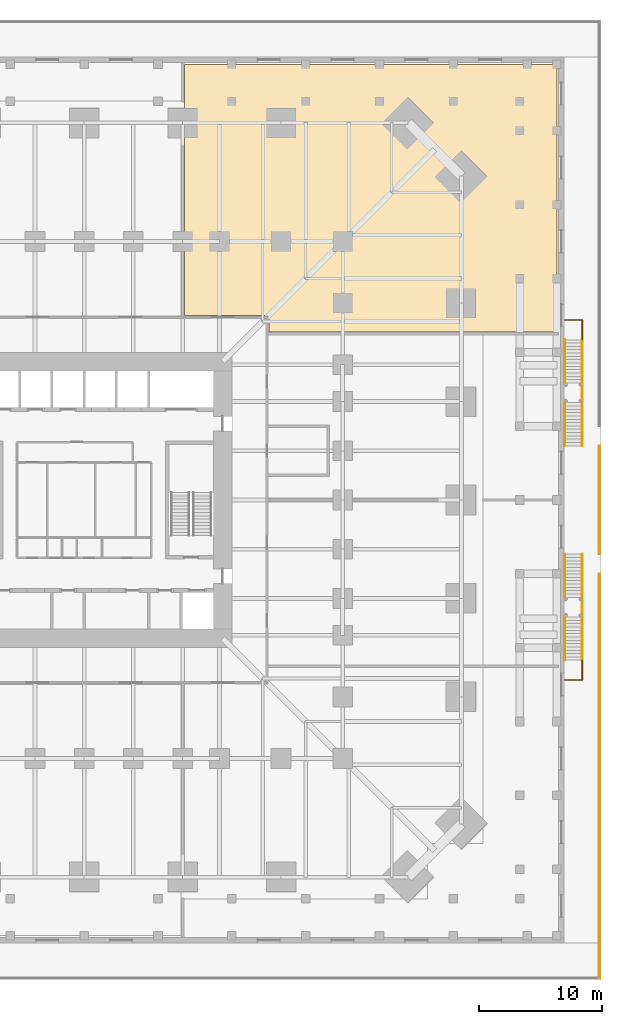
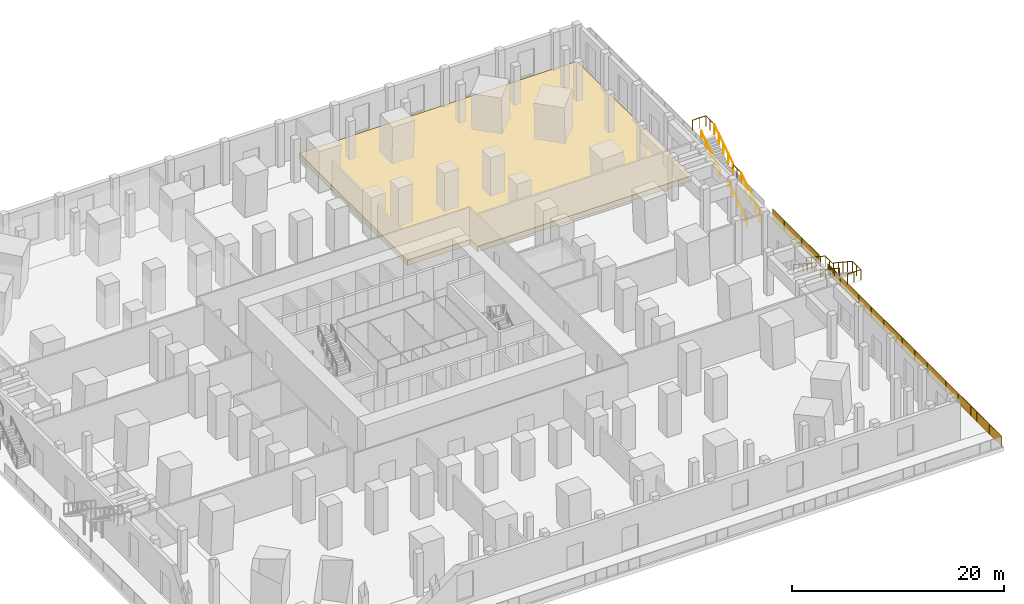
# One storey, part 20 of 22: 14 railings, 1 covering.
"""IFC4 building model written with IfcOpenShell, lengths in metres."""

from ifc_helpers import new_model, si_unit, direction, frame, origin, origin_2d, place, context, subcontext, project, spatial, polyline, rectangle, circle, outline, extrude, material, layer, layer_set, type_object, element, save


model = new_model("IFC4")

# Units and contexts
model_context = context("Model", 3, precision=1e-05, world=origin(), true_north=direction((0.0, 1.0)))
body_context = subcontext(model_context, "Body", "Model", "MODEL_VIEW")
ifc_project = project(units=[si_unit("LENGTHUNIT", "METRE"), si_unit("AREAUNIT", "SQUARE_METRE"), si_unit("VOLUMEUNIT", "CUBIC_METRE"), si_unit("PLANEANGLEUNIT", "RADIAN"), si_unit("MASSUNIT", "GRAM", prefix="KILO")], contexts=[model_context])

# Site, building, storey
site_placement = place(None, origin())
site = spatial("IfcSite", under=ifc_project, at=site_placement, CompositionType="ELEMENT")
building_placement = place(site_placement, origin())
building = spatial("IfcBuilding", under=site, at=building_placement, Name="Peilmerk Tower", CompositionType="ELEMENT")
storey_placement = place(building_placement, frame((0.0, 0.0, 6.0)))
storey = spatial("IfcBuildingStorey", under=building, at=storey_placement, Name="L01", CompositionType="ELEMENT", Elevation=6.0)

# Railings
ifc_material_1 = material(Name="Steel flat bar balustrade", Category="steel")
railing_type_1 = type_object("IfcRailingType", Name="GR1 1200 stair guard", PredefinedType="GUARDRAIL", material=ifc_material_1)
for number, where, name in (
    (1, (40.469970703125, 4.39990234375, 0.178466796875), "Guard external stair 3 L01"),
    (2, (40.469970703125, 9.510009765625, 2.678466796875), "Guard external stair 3 L01"),
):
    element("IfcRailing", number, at=place(storey_placement, frame(where)), inside=storey, type_object=railing_type_1, Name=name, PredefinedType="GUARDRAIL", context=body_context, shape_type="SweptSolid", body=[
        extrude(circle(Radius=0.02392578125, at=origin_2d()), frame((0.0, 0.0, 1.17578125), z_axis=(0.0, 0.834070780157, 0.551657442339), x_axis=(-1.0, 0.0, 0.0)), (0.0, 0.0, 1.0), 4.208251953125),
        extrude(circle(Radius=0.02099609375, at=origin_2d()), origin(), (0.0, 0.0, 1.0), 1.15185546875),
        extrude(circle(Radius=0.02099609375, at=origin_2d()), frame((0.0, 0.87744140625, 0.580322265625)), (0.0, 0.0, 1.0), 1.15185546875),
        extrude(circle(Radius=0.02099609375, at=origin_2d()), frame((0.0, 1.7548828125, 1.16064453125)), (0.0, 0.0, 1.0), 1.15185546875),
        extrude(circle(Radius=0.02099609375, at=origin_2d()), frame((0.0, 2.632568359375, 1.7412109375)), (0.0, 0.0, 1.0), 1.15185546875),
        extrude(circle(Radius=0.02099609375, at=origin_2d()), frame((0.0, 3.510009765625, 2.321533203125)), (0.0, 0.0, 1.0), 1.15185546875),
    ])
railing_1_placement = place(storey_placement, frame((40.469970703125, 7.909912109375, 2.5)))
element("IfcRailing", 3, at=railing_1_placement, inside=storey, type_object=railing_type_1, Name="Guard external stair 3 L01", PredefinedType="GUARDRAIL", context=body_context, shape_type="SweptSolid", body=[
    extrude(circle(Radius=0.02392578125, at=origin_2d()), frame((0.0, 0.0, 1.17578125), z_axis=(0.0, 1.0, 0.0), x_axis=(-1.0, 0.0, 0.0)), (0.0, 0.0, 1.0), 1.60009765625),
    extrude(circle(Radius=0.02099609375, at=origin_2d()), origin(), (0.0, 0.0, 1.0), 1.15185546875),
    extrude(circle(Radius=0.02099609375, at=origin_2d()), frame((0.0, 0.800048828125, 0.0)), (0.0, 0.0, 1.0), 1.15185546875),
    extrude(circle(Radius=0.02099609375, at=origin_2d()), frame((0.0, 1.60009765625, 0.0)), (0.0, 0.0, 1.0), 1.15185546875),
])
railing_2_placement = place(storey_placement, frame((40.469970703125, 13.02001953125, 5.0)))
element("IfcRailing", 4, at=railing_2_placement, inside=storey, type_object=railing_type_1, Name="Guard external stair 3 L01", PredefinedType="GUARDRAIL", context=body_context, shape_type="SweptSolid", body=[
    extrude(circle(Radius=0.02392578125, at=origin_2d()), frame((0.0, 0.0, 1.17578125), z_axis=(0.0, 1.0, 0.0), x_axis=(-1.0, 0.0, 0.0)), (0.0, 0.0, 1.0), 1.60009765625),
    extrude(circle(Radius=0.02392578125, at=origin_2d()), frame((0.0, 1.60009765625, 1.17578125), z_axis=(-1.0, 0.0, 0.0), x_axis=(0.0, -1.0, 0.0)), (0.0, 0.0, 1.0), 1.43994140625),
    extrude(circle(Radius=0.02099609375, at=origin_2d()), origin(), (0.0, 0.0, 1.0), 1.15185546875),
    extrude(circle(Radius=0.02099609375, at=origin_2d()), frame((0.0, 0.800048828125, 0.0)), (0.0, 0.0, 1.0), 1.15185546875),
    extrude(circle(Radius=0.02099609375, at=origin_2d()), frame((0.0, 1.60009765625, 0.0)), (0.0, 0.0, 1.0), 1.15185546875),
    extrude(circle(Radius=0.02099609375, at=origin_2d()), frame((-0.719970703125, 1.60009765625, 0.0)), (0.0, 0.0, 1.0), 1.15185546875),
    extrude(circle(Radius=0.02099609375, at=origin_2d()), frame((-1.43994140625, 1.60009765625, 0.0)), (0.0, 0.0, 1.0), 1.15185546875),
])
for number, where, name in (
    (5, (40.469970703125, -4.39990234375, 0.178466796875), "Guard external stair 4 L01"),
    (6, (40.469970703125, -9.510009765625, 2.678466796875), "Guard external stair 4 L01"),
):
    element("IfcRailing", number, at=place(storey_placement, frame(where)), inside=storey, type_object=railing_type_1, Name=name, PredefinedType="GUARDRAIL", context=body_context, shape_type="SweptSolid", body=[
        extrude(circle(Radius=0.02392578125, at=origin_2d()), frame((0.0, 0.0, 1.17578125), z_axis=(0.0, -0.834070780157, 0.551657442339), x_axis=(1.0, 0.0, 0.0)), (0.0, 0.0, 1.0), 4.208251953125),
        extrude(circle(Radius=0.02099609375, at=origin_2d()), origin(), (0.0, 0.0, 1.0), 1.15185546875),
        extrude(circle(Radius=0.02099609375, at=origin_2d()), frame((0.0, -0.87744140625, 0.580322265625)), (0.0, 0.0, 1.0), 1.15185546875),
        extrude(circle(Radius=0.02099609375, at=origin_2d()), frame((0.0, -1.7548828125, 1.16064453125)), (0.0, 0.0, 1.0), 1.15185546875),
        extrude(circle(Radius=0.02099609375, at=origin_2d()), frame((0.0, -2.632568359375, 1.7412109375)), (0.0, 0.0, 1.0), 1.15185546875),
        extrude(circle(Radius=0.02099609375, at=origin_2d()), frame((0.0, -3.510009765625, 2.321533203125)), (0.0, 0.0, 1.0), 1.15185546875),
    ])
railing_3_placement = place(storey_placement, frame((40.469970703125, -9.510009765625, 2.5)))
element("IfcRailing", 7, at=railing_3_placement, inside=storey, type_object=railing_type_1, Name="Guard external stair 4 L01", PredefinedType="GUARDRAIL", context=body_context, shape_type="SweptSolid", body=[
    extrude(circle(Radius=0.02392578125, at=origin_2d()), frame((0.0, 0.0, 1.17578125), z_axis=(0.0, 1.0, 0.0), x_axis=(-1.0, 0.0, 0.0)), (0.0, 0.0, 1.0), 1.60009765625),
    extrude(circle(Radius=0.02099609375, at=origin_2d()), origin(), (0.0, 0.0, 1.0), 1.15185546875),
    extrude(circle(Radius=0.02099609375, at=origin_2d()), frame((0.0, 0.800048828125, 0.0)), (0.0, 0.0, 1.0), 1.15185546875),
    extrude(circle(Radius=0.02099609375, at=origin_2d()), frame((0.0, 1.60009765625, 0.0)), (0.0, 0.0, 1.0), 1.15185546875),
])
railing_4_placement = place(storey_placement, frame((40.469970703125, -13.02001953125, 5.0)))
element("IfcRailing", 8, at=railing_4_placement, inside=storey, type_object=railing_type_1, Name="Guard external stair 4 L01", PredefinedType="GUARDRAIL", context=body_context, shape_type="SweptSolid", body=[
    extrude(circle(Radius=0.02392578125, at=origin_2d()), frame((0.0, 0.0, 1.17578125), z_axis=(0.0, -1.0, 0.0), x_axis=(1.0, 0.0, 0.0)), (0.0, 0.0, 1.0), 1.60009765625),
    extrude(circle(Radius=0.02392578125, at=origin_2d()), frame((0.0, -1.60009765625, 1.17578125), z_axis=(-1.0, 0.0, 0.0), x_axis=(0.0, -1.0, 0.0)), (0.0, 0.0, 1.0), 1.43994140625),
    extrude(circle(Radius=0.02099609375, at=origin_2d()), origin(), (0.0, 0.0, 1.0), 1.15185546875),
    extrude(circle(Radius=0.02099609375, at=origin_2d()), frame((0.0, -0.800048828125, 0.0)), (0.0, 0.0, 1.0), 1.15185546875),
    extrude(circle(Radius=0.02099609375, at=origin_2d()), frame((0.0, -1.60009765625, 0.0)), (0.0, 0.0, 1.0), 1.15185546875),
    extrude(circle(Radius=0.02099609375, at=origin_2d()), frame((-0.719970703125, -1.60009765625, 0.0)), (0.0, 0.0, 1.0), 1.15185546875),
    extrude(circle(Radius=0.02099609375, at=origin_2d()), frame((-1.43994140625, -1.60009765625, 0.0)), (0.0, 0.0, 1.0), 1.15185546875),
])
ifc_material_2 = material(Name="Galvanised steel posts and top rail, laminated glass infill 16", Category="steel")
railing_type_2 = type_object("IfcRailingType", Name="GR2 1200 terrace balustrade", PredefinedType="BALUSTRADE", material=ifc_material_2)
railing_5_placement = place(storey_placement, frame((41.85009765625, -38.85009765625, 0.0)))
element("IfcRailing", 9, at=railing_5_placement, inside=storey, type_object=railing_type_2, Name="Terrace balustrade L01", PredefinedType="BALUSTRADE", context=body_context, shape_type="SweptSolid", body=[
    extrude(circle(Radius=0.02392578125, at=origin_2d()), frame((0.0, 0.0, 1.17578125), z_axis=(0.0, 1.0, 0.0), x_axis=(-1.0, 0.0, 0.0)), (0.0, 0.0, 1.0), 32.85009765625),
    extrude(circle(Radius=0.02099609375, at=origin_2d()), origin(), (0.0, 0.0, 1.0), 1.15185546875),
    extrude(circle(Radius=0.02099609375, at=origin_2d()), frame((0.0, 1.17333984375, 0.0)), (0.0, 0.0, 1.0), 1.15185546875),
    extrude(circle(Radius=0.02099609375, at=origin_2d()), frame((0.0, 2.346435546875, 0.0)), (0.0, 0.0, 1.0), 1.15185546875),
    extrude(circle(Radius=0.02099609375, at=origin_2d()), frame((0.0, 3.51953125, 0.0)), (0.0, 0.0, 1.0), 1.15185546875),
    extrude(circle(Radius=0.02099609375, at=origin_2d()), frame((0.0, 4.69287109375, 0.0)), (0.0, 0.0, 1.0), 1.15185546875),
    extrude(circle(Radius=0.02099609375, at=origin_2d()), frame((0.0, 5.8662109375, 0.0)), (0.0, 0.0, 1.0), 1.15185546875),
    extrude(circle(Radius=0.02099609375, at=origin_2d()), frame((0.0, 7.039306640625, 0.0)), (0.0, 0.0, 1.0), 1.15185546875),
    extrude(circle(Radius=0.02099609375, at=origin_2d()), frame((0.0, 8.21240234375, 0.0)), (0.0, 0.0, 1.0), 1.15185546875),
    extrude(circle(Radius=0.02099609375, at=origin_2d()), frame((0.0, 9.3857421875, 0.0)), (0.0, 0.0, 1.0), 1.15185546875),
    extrude(circle(Radius=0.02099609375, at=origin_2d()), frame((0.0, 10.55908203125, 0.0)), (0.0, 0.0, 1.0), 1.15185546875),
    extrude(circle(Radius=0.02099609375, at=origin_2d()), frame((0.0, 11.732177734375, 0.0)), (0.0, 0.0, 1.0), 1.15185546875),
    extrude(circle(Radius=0.02099609375, at=origin_2d()), frame((0.0, 12.9052734375, 0.0)), (0.0, 0.0, 1.0), 1.15185546875),
    extrude(circle(Radius=0.02099609375, at=origin_2d()), frame((0.0, 14.07861328125, 0.0)), (0.0, 0.0, 1.0), 1.15185546875),
    extrude(circle(Radius=0.02099609375, at=origin_2d()), frame((0.0, 15.251953125, 0.0)), (0.0, 0.0, 1.0), 1.15185546875),
    extrude(circle(Radius=0.02099609375, at=origin_2d()), frame((0.0, 16.425048828125, 0.0)), (0.0, 0.0, 1.0), 1.15185546875),
    extrude(circle(Radius=0.02099609375, at=origin_2d()), frame((0.0, 17.59814453125, 0.0)), (0.0, 0.0, 1.0), 1.15185546875),
    extrude(circle(Radius=0.02099609375, at=origin_2d()), frame((0.0, 18.771484375, 0.0)), (0.0, 0.0, 1.0), 1.15185546875),
    extrude(circle(Radius=0.02099609375, at=origin_2d()), frame((0.0, 19.94482421875, 0.0)), (0.0, 0.0, 1.0), 1.15185546875),
    extrude(circle(Radius=0.02099609375, at=origin_2d()), frame((0.0, 21.117919921875, 0.0)), (0.0, 0.0, 1.0), 1.15185546875),
    extrude(circle(Radius=0.02099609375, at=origin_2d()), frame((0.0, 22.291015625, 0.0)), (0.0, 0.0, 1.0), 1.15185546875),
    extrude(circle(Radius=0.02099609375, at=origin_2d()), frame((0.0, 23.46435546875, 0.0)), (0.0, 0.0, 1.0), 1.15185546875),
    extrude(circle(Radius=0.02099609375, at=origin_2d()), frame((0.0, 24.6376953125, 0.0)), (0.0, 0.0, 1.0), 1.15185546875),
    extrude(circle(Radius=0.02099609375, at=origin_2d()), frame((0.0, 25.810791015625, 0.0)), (0.0, 0.0, 1.0), 1.15185546875),
    extrude(circle(Radius=0.02099609375, at=origin_2d()), frame((0.0, 26.98388671875, 0.0)), (0.0, 0.0, 1.0), 1.15185546875),
    extrude(circle(Radius=0.02099609375, at=origin_2d()), frame((0.0, 28.1572265625, 0.0)), (0.0, 0.0, 1.0), 1.15185546875),
    extrude(circle(Radius=0.02099609375, at=origin_2d()), frame((0.0, 29.33056640625, 0.0)), (0.0, 0.0, 1.0), 1.15185546875),
    extrude(circle(Radius=0.02099609375, at=origin_2d()), frame((0.0, 30.503662109375, 0.0)), (0.0, 0.0, 1.0), 1.15185546875),
    extrude(circle(Radius=0.02099609375, at=origin_2d()), frame((0.0, 31.6767578125, 0.0)), (0.0, 0.0, 1.0), 1.15185546875),
    extrude(circle(Radius=0.02099609375, at=origin_2d()), frame((0.0, 32.85009765625, 0.0)), (0.0, 0.0, 1.0), 1.15185546875),
    extrude(rectangle(XDim=1.13134765625, YDim=0.01611328125, at=origin_2d()), frame((0.0, 0.586669921875, 0.050048828125), z_axis=(0.0, 0.0, 1.0), x_axis=(0.0, 1.0, 0.0)), (0.0, 0.0, 1.0), 1.101806640625),
    extrude(rectangle(XDim=1.13134765625, YDim=0.01611328125, at=origin_2d()), frame((0.0, 1.759765625, 0.050048828125), z_axis=(0.0, 0.0, 1.0), x_axis=(0.0, 1.0, 0.0)), (0.0, 0.0, 1.0), 1.101806640625),
    extrude(rectangle(XDim=1.13134765625, YDim=0.01611328125, at=origin_2d()), frame((0.0, 2.93310546875, 0.050048828125), z_axis=(0.0, 0.0, 1.0), x_axis=(0.0, 1.0, 0.0)), (0.0, 0.0, 1.0), 1.101806640625),
    extrude(rectangle(XDim=1.13134765625, YDim=0.01611328125, at=origin_2d()), frame((0.0, 4.106201171875, 0.050048828125), z_axis=(0.0, 0.0, 1.0), x_axis=(0.0, 1.0, 0.0)), (0.0, 0.0, 1.0), 1.101806640625),
    extrude(rectangle(XDim=1.13134765625, YDim=0.01611328125, at=origin_2d()), frame((0.0, 5.279541015625, 0.050048828125), z_axis=(0.0, 0.0, 1.0), x_axis=(0.0, 1.0, 0.0)), (0.0, 0.0, 1.0), 1.101806640625),
    extrude(rectangle(XDim=1.13134765625, YDim=0.01611328125, at=origin_2d()), frame((0.0, 6.45263671875, 0.050048828125), z_axis=(0.0, 0.0, 1.0), x_axis=(0.0, 1.0, 0.0)), (0.0, 0.0, 1.0), 1.101806640625),
    extrude(rectangle(XDim=1.13134765625, YDim=0.01611328125, at=origin_2d()), frame((0.0, 7.6259765625, 0.050048828125), z_axis=(0.0, 0.0, 1.0), x_axis=(0.0, 1.0, 0.0)), (0.0, 0.0, 1.0), 1.101806640625),
    extrude(rectangle(XDim=1.13134765625, YDim=0.01611328125, at=origin_2d()), frame((0.0, 8.799072265625, 0.050048828125), z_axis=(0.0, 0.0, 1.0), x_axis=(0.0, 1.0, 0.0)), (0.0, 0.0, 1.0), 1.101806640625),
    extrude(rectangle(XDim=1.13134765625, YDim=0.01611328125, at=origin_2d()), frame((0.0, 9.972412109375, 0.050048828125), z_axis=(0.0, 0.0, 1.0), x_axis=(0.0, 1.0, 0.0)), (0.0, 0.0, 1.0), 1.101806640625),
    extrude(rectangle(XDim=1.13134765625, YDim=0.01611328125, at=origin_2d()), frame((0.0, 11.1455078125, 0.050048828125), z_axis=(0.0, 0.0, 1.0), x_axis=(0.0, 1.0, 0.0)), (0.0, 0.0, 1.0), 1.101806640625),
    extrude(rectangle(XDim=1.13134765625, YDim=0.01611328125, at=origin_2d()), frame((0.0, 12.31884765625, 0.050048828125), z_axis=(0.0, 0.0, 1.0), x_axis=(0.0, 1.0, 0.0)), (0.0, 0.0, 1.0), 1.101806640625),
    extrude(rectangle(XDim=1.13134765625, YDim=0.01611328125, at=origin_2d()), frame((0.0, 13.491943359375, 0.050048828125), z_axis=(0.0, 0.0, 1.0), x_axis=(0.0, 1.0, 0.0)), (0.0, 0.0, 1.0), 1.101806640625),
    extrude(rectangle(XDim=1.13134765625, YDim=0.01611328125, at=origin_2d()), frame((0.0, 14.665283203125, 0.050048828125), z_axis=(0.0, 0.0, 1.0), x_axis=(0.0, 1.0, 0.0)), (0.0, 0.0, 1.0), 1.101806640625),
    extrude(rectangle(XDim=1.13134765625, YDim=0.01611328125, at=origin_2d()), frame((0.0, 15.83837890625, 0.050048828125), z_axis=(0.0, 0.0, 1.0), x_axis=(0.0, 1.0, 0.0)), (0.0, 0.0, 1.0), 1.101806640625),
    extrude(rectangle(XDim=1.13134765625, YDim=0.01611328125, at=origin_2d()), frame((0.0, 17.01171875, 0.050048828125), z_axis=(0.0, 0.0, 1.0), x_axis=(0.0, 1.0, 0.0)), (0.0, 0.0, 1.0), 1.101806640625),
    extrude(rectangle(XDim=1.13134765625, YDim=0.01611328125, at=origin_2d()), frame((0.0, 18.184814453125, 0.050048828125), z_axis=(0.0, 0.0, 1.0), x_axis=(0.0, 1.0, 0.0)), (0.0, 0.0, 1.0), 1.101806640625),
    extrude(rectangle(XDim=1.13134765625, YDim=0.01611328125, at=origin_2d()), frame((0.0, 19.358154296875, 0.050048828125), z_axis=(0.0, 0.0, 1.0), x_axis=(0.0, 1.0, 0.0)), (0.0, 0.0, 1.0), 1.101806640625),
    extrude(rectangle(XDim=1.13134765625, YDim=0.01611328125, at=origin_2d()), frame((0.0, 20.53125, 0.050048828125), z_axis=(0.0, 0.0, 1.0), x_axis=(0.0, 1.0, 0.0)), (0.0, 0.0, 1.0), 1.101806640625),
    extrude(rectangle(XDim=1.13134765625, YDim=0.01611328125, at=origin_2d()), frame((0.0, 21.70458984375, 0.050048828125), z_axis=(0.0, 0.0, 1.0), x_axis=(0.0, 1.0, 0.0)), (0.0, 0.0, 1.0), 1.101806640625),
    extrude(rectangle(XDim=1.13134765625, YDim=0.01611328125, at=origin_2d()), frame((0.0, 22.877685546875, 0.050048828125), z_axis=(0.0, 0.0, 1.0), x_axis=(0.0, 1.0, 0.0)), (0.0, 0.0, 1.0), 1.101806640625),
    extrude(rectangle(XDim=1.13134765625, YDim=0.01611328125, at=origin_2d()), frame((0.0, 24.051025390625, 0.050048828125), z_axis=(0.0, 0.0, 1.0), x_axis=(0.0, 1.0, 0.0)), (0.0, 0.0, 1.0), 1.101806640625),
    extrude(rectangle(XDim=1.13134765625, YDim=0.01611328125, at=origin_2d()), frame((0.0, 25.22412109375, 0.050048828125), z_axis=(0.0, 0.0, 1.0), x_axis=(0.0, 1.0, 0.0)), (0.0, 0.0, 1.0), 1.101806640625),
    extrude(rectangle(XDim=1.13134765625, YDim=0.01611328125, at=origin_2d()), frame((0.0, 26.3974609375, 0.050048828125), z_axis=(0.0, 0.0, 1.0), x_axis=(0.0, 1.0, 0.0)), (0.0, 0.0, 1.0), 1.101806640625),
    extrude(rectangle(XDim=1.13134765625, YDim=0.01611328125, at=origin_2d()), frame((0.0, 27.570556640625, 0.050048828125), z_axis=(0.0, 0.0, 1.0), x_axis=(0.0, 1.0, 0.0)), (0.0, 0.0, 1.0), 1.101806640625),
    extrude(rectangle(XDim=1.13134765625, YDim=0.01611328125, at=origin_2d()), frame((0.0, 28.743896484375, 0.050048828125), z_axis=(0.0, 0.0, 1.0), x_axis=(0.0, 1.0, 0.0)), (0.0, 0.0, 1.0), 1.101806640625),
    extrude(rectangle(XDim=1.13134765625, YDim=0.01611328125, at=origin_2d()), frame((0.0, 29.9169921875, 0.050048828125), z_axis=(0.0, 0.0, 1.0), x_axis=(0.0, 1.0, 0.0)), (0.0, 0.0, 1.0), 1.101806640625),
    extrude(rectangle(XDim=1.13134765625, YDim=0.01611328125, at=origin_2d()), frame((0.0, 31.09033203125, 0.050048828125), z_axis=(0.0, 0.0, 1.0), x_axis=(0.0, 1.0, 0.0)), (0.0, 0.0, 1.0), 1.101806640625),
    extrude(rectangle(XDim=1.13134765625, YDim=0.01611328125, at=origin_2d()), frame((0.0, 32.263427734375, 0.050048828125), z_axis=(0.0, 0.0, 1.0), x_axis=(0.0, 1.0, 0.0)), (0.0, 0.0, 1.0), 1.101806640625),
])
railing_6_placement = place(storey_placement, frame((41.85009765625, -4.39990234375, 0.0)))
element("IfcRailing", 10, at=railing_6_placement, inside=storey, type_object=railing_type_2, Name="Terrace balustrade L01", PredefinedType="BALUSTRADE", context=body_context, shape_type="SweptSolid", body=[
    extrude(circle(Radius=0.02392578125, at=origin_2d()), frame((0.0, 0.0, 1.17578125), z_axis=(0.0, 1.0, 0.0), x_axis=(-1.0, 0.0, 0.0)), (0.0, 0.0, 1.0), 8.7998046875),
    extrude(circle(Radius=0.02099609375, at=origin_2d()), origin(), (0.0, 0.0, 1.0), 1.15185546875),
    extrude(circle(Radius=0.02099609375, at=origin_2d()), frame((0.0, 1.10009765625, 0.0)), (0.0, 0.0, 1.0), 1.15185546875),
    extrude(circle(Radius=0.02099609375, at=origin_2d()), frame((0.0, 2.199951171875, 0.0)), (0.0, 0.0, 1.0), 1.15185546875),
    extrude(circle(Radius=0.02099609375, at=origin_2d()), frame((0.0, 3.2998046875, 0.0)), (0.0, 0.0, 1.0), 1.15185546875),
    extrude(circle(Radius=0.02099609375, at=origin_2d()), frame((0.0, 4.39990234375, 0.0)), (0.0, 0.0, 1.0), 1.15185546875),
    extrude(circle(Radius=0.02099609375, at=origin_2d()), frame((0.0, 5.5, 0.0)), (0.0, 0.0, 1.0), 1.15185546875),
    extrude(circle(Radius=0.02099609375, at=origin_2d()), frame((0.0, 6.599853515625, 0.0)), (0.0, 0.0, 1.0), 1.15185546875),
    extrude(circle(Radius=0.02099609375, at=origin_2d()), frame((0.0, 7.69970703125, 0.0)), (0.0, 0.0, 1.0), 1.15185546875),
    extrude(circle(Radius=0.02099609375, at=origin_2d()), frame((0.0, 8.7998046875, 0.0)), (0.0, 0.0, 1.0), 1.15185546875),
    extrude(rectangle(XDim=1.05810546875, YDim=0.01611328125, at=origin_2d()), frame((0.0, 0.550048828125, 0.050048828125), z_axis=(0.0, 0.0, 1.0), x_axis=(0.0, 1.0, 0.0)), (0.0, 0.0, 1.0), 1.101806640625),
    extrude(rectangle(XDim=1.05810546875, YDim=0.01611328125, at=origin_2d()), frame((0.0, 1.64990234375, 0.050048828125), z_axis=(0.0, 0.0, 1.0), x_axis=(0.0, 1.0, 0.0)), (0.0, 0.0, 1.0), 1.101806640625),
    extrude(rectangle(XDim=1.05810546875, YDim=0.01611328125, at=origin_2d()), frame((0.0, 2.75, 0.050048828125), z_axis=(0.0, 0.0, 1.0), x_axis=(0.0, 1.0, 0.0)), (0.0, 0.0, 1.0), 1.101806640625),
    extrude(rectangle(XDim=1.05810546875, YDim=0.01611328125, at=origin_2d()), frame((0.0, 3.849853515625, 0.050048828125), z_axis=(0.0, 0.0, 1.0), x_axis=(0.0, 1.0, 0.0)), (0.0, 0.0, 1.0), 1.101806640625),
    extrude(rectangle(XDim=1.05810546875, YDim=0.01611328125, at=origin_2d()), frame((0.0, 4.949951171875, 0.050048828125), z_axis=(0.0, 0.0, 1.0), x_axis=(0.0, 1.0, 0.0)), (0.0, 0.0, 1.0), 1.101806640625),
    extrude(rectangle(XDim=1.05810546875, YDim=0.01611328125, at=origin_2d()), frame((0.0, 6.0498046875, 0.050048828125), z_axis=(0.0, 0.0, 1.0), x_axis=(0.0, 1.0, 0.0)), (0.0, 0.0, 1.0), 1.101806640625),
    extrude(rectangle(XDim=1.05810546875, YDim=0.01611328125, at=origin_2d()), frame((0.0, 7.14990234375, 0.050048828125), z_axis=(0.0, 0.0, 1.0), x_axis=(0.0, 1.0, 0.0)), (0.0, 0.0, 1.0), 1.101806640625),
    extrude(rectangle(XDim=1.05810546875, YDim=0.01611328125, at=origin_2d()), frame((0.0, 8.249755859375, 0.050048828125), z_axis=(0.0, 0.0, 1.0), x_axis=(0.0, 1.0, 0.0)), (0.0, 0.0, 1.0), 1.101806640625),
])
ifc_material_3 = material(Name="Stainless steel tube", Category="steel")
railing_type_3 = type_object("IfcRailingType", Name="HR1 900 stair handrail", PredefinedType="HANDRAIL", material=ifc_material_3)
for number, where, name in (
    (11, (39.050048828125, 4.39990234375, 0.178466796875), "Handrail external stair 3 L01"),
    (12, (39.050048828125, 9.510009765625, 2.678466796875), "Handrail external stair 3 L01"),
):
    element("IfcRailing", number, at=place(storey_placement, frame(where)), inside=storey, type_object=railing_type_3, Name=name, PredefinedType="HANDRAIL", context=body_context, shape_type="SweptSolid", body=[
        extrude(circle(Radius=0.02392578125, at=origin_2d()), frame((0.0, 0.0, 0.8759765625), z_axis=(0.0, 0.834070780157, 0.551657442339), x_axis=(-1.0, 0.0, 0.0)), (0.0, 0.0, 1.0), 4.208251953125),
        extrude(circle(Radius=0.02099609375, at=origin_2d()), origin(), (0.0, 0.0, 1.0), 0.851806640625),
        extrude(circle(Radius=0.02099609375, at=origin_2d()), frame((0.0, 0.87744140625, 0.580322265625)), (0.0, 0.0, 1.0), 0.851806640625),
        extrude(circle(Radius=0.02099609375, at=origin_2d()), frame((0.0, 1.7548828125, 1.16064453125)), (0.0, 0.0, 1.0), 0.851806640625),
        extrude(circle(Radius=0.02099609375, at=origin_2d()), frame((0.0, 2.632568359375, 1.7412109375)), (0.0, 0.0, 1.0), 0.851806640625),
        extrude(circle(Radius=0.02099609375, at=origin_2d()), frame((0.0, 3.510009765625, 2.321533203125)), (0.0, 0.0, 1.0), 0.851806640625),
    ])
for number, where, name in (
    (13, (39.050048828125, -4.39990234375, 0.178466796875), "Handrail external stair 4 L01"),
    (14, (39.050048828125, -9.510009765625, 2.678466796875), "Handrail external stair 4 L01"),
):
    element("IfcRailing", number, at=place(storey_placement, frame(where)), inside=storey, type_object=railing_type_3, Name=name, PredefinedType="HANDRAIL", context=body_context, shape_type="SweptSolid", body=[
        extrude(circle(Radius=0.02392578125, at=origin_2d()), frame((0.0, 0.0, 0.8759765625), z_axis=(0.0, -0.834070780157, 0.551657442339), x_axis=(1.0, 0.0, 0.0)), (0.0, 0.0, 1.0), 4.208251953125),
        extrude(circle(Radius=0.02099609375, at=origin_2d()), origin(), (0.0, 0.0, 1.0), 0.851806640625),
        extrude(circle(Radius=0.02099609375, at=origin_2d()), frame((0.0, -0.87744140625, 0.580322265625)), (0.0, 0.0, 1.0), 0.851806640625),
        extrude(circle(Radius=0.02099609375, at=origin_2d()), frame((0.0, -1.7548828125, 1.16064453125)), (0.0, 0.0, 1.0), 0.851806640625),
        extrude(circle(Radius=0.02099609375, at=origin_2d()), frame((0.0, -2.632568359375, 1.7412109375)), (0.0, 0.0, 1.0), 0.851806640625),
        extrude(circle(Radius=0.02099609375, at=origin_2d()), frame((0.0, -3.510009765625, 2.321533203125)), (0.0, 0.0, 1.0), 0.851806640625),
    ])

# Covering
ifc_material_4 = material(Name="Steel raised access floor panels on pedestals", Category="steel")
ifc_layer = layer(ifc_material_4, 0.60009765625)
ifc_layer_set = layer_set([ifc_layer], Name="Steel raised access floor panels on pedestals")
covering_type = type_object("IfcCoveringType", Name="RF1 600 raised access floor", PredefinedType="FLOORING", material=ifc_layer_set)
covering_placement = place(storey_placement, origin())
element("IfcCovering", 15, at=covering_placement, inside=storey, type_object=covering_type, Name="Raised access floor Meet-me room A", PredefinedType="FLOORING", context=body_context, shape_type="SweptSolid", body=[
    extrude(outline(polyline([(38.39990234375, 35.39990234375), (8.14990234375, 35.39990234375), (8.14990234375, 15.0), (15.0, 15.0), (15.0, 13.64990234375), (38.39990234375, 13.64990234375), (38.39990234375, 35.39990234375)])), origin(), (0.0, 0.0, 1.0), 0.60009765625),
])

save(model, "model.ifc")
